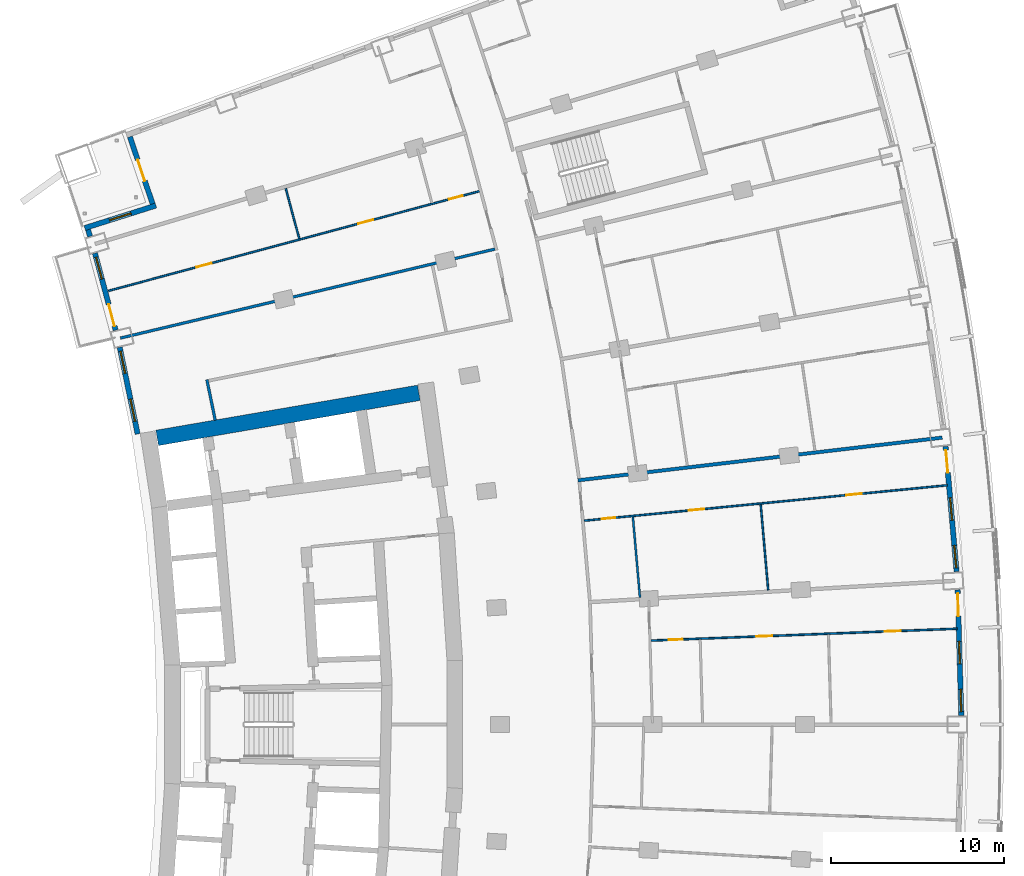
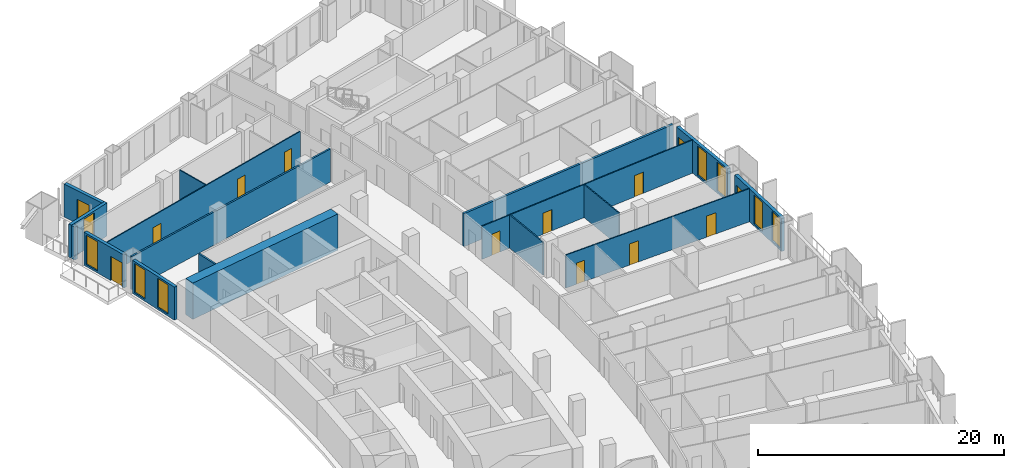
# One storey, part 18 of 25: 17 walls, 13 doors, 8 windows, 21 openings.
"""IFC4 building model written with IfcOpenShell, lengths in metres."""

from ifc_helpers import new_model, si_unit, direction, frame, frame_2d, origin, place, context, subcontext, project, spatial, rectangle, extrude, material, layer, layer_set, type_object, element, fill, save


model = new_model("IFC4")

# Units and contexts
model_context = context("Model", 3, precision=1e-05, world=origin(), true_north=direction((0.0, 1.0)))
body_context = subcontext(model_context, "Body", "Model", "MODEL_VIEW")
ifc_project = project(units=[si_unit("LENGTHUNIT", "METRE"), si_unit("AREAUNIT", "SQUARE_METRE"), si_unit("VOLUMEUNIT", "CUBIC_METRE"), si_unit("PLANEANGLEUNIT", "RADIAN"), si_unit("MASSUNIT", "GRAM", prefix="KILO")], contexts=[model_context])

# Site, building, storey
site_placement = place(None, origin())
site = spatial("IfcSite", under=ifc_project, at=site_placement, CompositionType="ELEMENT")
building_placement = place(site_placement, origin())
building = spatial("IfcBuilding", under=site, at=building_placement, Name="Alderwake Tower", CompositionType="ELEMENT")
storey_placement = place(building_placement, frame((0.0, 0.0, 68.0)))
storey = spatial("IfcBuildingStorey", under=building, at=storey_placement, Name="L16", CompositionType="ELEMENT", Elevation=68.0)

# Walls
ifc_material_1 = material(Name="Concrete C70/85", Category="concrete")
ifc_layer_1 = layer(ifc_material_1, 0.89990234375)
ifc_layer_set_1 = layer_set([ifc_layer_1], Name="Core wall outer 900 C70-85")
wall_type_1 = type_object("IfcWallType", Name="Core wall outer 900 C70-85", PredefinedType="SHEAR", material=ifc_layer_set_1)
wall_1_placement = place(storey_placement, frame((16.005615234375, 77.548828125, 0.0), z_axis=(0.0, 0.0, 1.0), x_axis=(0.985465815888, 0.169873852363, 0.0)))
element("IfcWall", 1, at=wall_1_placement, inside=storey, type_object=wall_type_1, Name="Core wall CW.053", PredefinedType="SHEAR", context=body_context, shape_type="SweptSolid", body=[
    extrude(rectangle(XDim=15.33056640625, YDim=0.89990234375, at=frame_2d((7.665283203125, 0.0))), origin(), (0.0, 0.0, 1.0), 3.60009765625),
])
ifc_material_2 = material(Name="Gypsum board on metal studs, rated")
ifc_layer_2 = layer(ifc_material_2, 0.159912109375)
ifc_layer_set_2 = layer_set([ifc_layer_2], Name="Corridor wall 160")
wall_type_2 = type_object("IfcWallType", Name="Corridor wall 160", PredefinedType="PARTITIONING", material=ifc_layer_set_2)
wall_2_placement = place(storey_placement, frame((18.874755859375, 80.910400390625, 0.0), z_axis=(0.0, 0.0, 1.0), x_axis=(0.202312089075, -0.979321100873, 0.0)))
element("IfcWall", 2, at=wall_2_placement, inside=storey, type_object=wall_type_2, Name="WL/L16/W19", PredefinedType="PARTITIONING", context=body_context, shape_type="SweptSolid", body=[
    extrude(rectangle(XDim=2.39306640625, YDim=0.159912109375, at=frame_2d((1.196533203125, 0.0))), origin(), (0.0, 0.0, 1.0), 3.280029296875),
])
wall_3_placement = place(storey_placement, frame((35.502197265625, 88.451416015625, 0.0), z_axis=(0.0, 0.0, 1.0), x_axis=(-0.972894913244, -0.231247676278, 0.0)))
element("IfcWall", 3, at=wall_3_placement, inside=storey, type_object=wall_type_2, Name="WL/L16/W26", PredefinedType="PARTITIONING", context=body_context, shape_type="SweptSolid", body=[
    extrude(rectangle(XDim=22.220458984375, YDim=0.159912109375, at=frame_2d((11.1103515625, 0.0))), origin(), (0.0, 0.0, 1.0), 3.280029296875),
])

# Wall, openings, door, windows
ifc_material_3 = material(Name="Precast concrete C50/60 spandrel panel", Category="concrete")
ifc_layer_3 = layer(ifc_material_3, 0.300048828125)
ifc_layer_set_3 = layer_set([ifc_layer_3], Name="External wall EW1 Precast concrete C50/60 spandrel")
wall_type_3 = type_object("IfcWallType", Name="External wall EW1 Precast concrete C50/60 spandrel", PredefinedType="SOLIDWALL", material=ifc_layer_set_3)
wall_4_placement = place(storey_placement, frame((62.434814453125, 61.5244140625, 0.0), z_axis=(0.0, 0.0, 1.0), x_axis=(-0.029192492368, 0.999573808375, 0.0)))
wall_4 = element("IfcWall", 4, at=wall_4_placement, inside=storey, type_object=wall_type_3, Name="External wall 17", PredefinedType="SOLIDWALL", context=body_context, shape_type="SweptSolid", body=[
    extrude(rectangle(XDim=7.25927734375, YDim=0.300048828125, at=frame_2d((3.629638671875, 0.0))), origin(), (0.0, 0.0, 1.0), 3.280029296875),
])
opening_1_placement = place(wall_4_placement, frame((0.215087890625, 0.0, 0.199951171875)))
opening_1 = element("IfcOpeningElement", 5, at=opening_1_placement, cuts=wall_4, Name="Opening W1", PredefinedType="OPENING", context=body_context, shape_type="SweptSolid", body=[
    extrude(rectangle(XDim=1.300048828125, YDim=2.89990234375, at=frame_2d((0.64990234375, 1.449951171875))), frame((0.0, 0.159912109375, 0.0), z_axis=(0.0, -1.0, 0.0), x_axis=(1.0, 0.0, 0.0)), (0.0, 0.0, 1.0), 0.320068359375),
])
opening_2_placement = place(wall_4_placement, frame((2.9794921875, 0.0, 0.199951171875)))
opening_2 = element("IfcOpeningElement", 6, at=opening_2_placement, cuts=wall_4, Name="Opening W1", PredefinedType="OPENING", context=body_context, shape_type="SweptSolid", body=[
    extrude(rectangle(XDim=1.300048828125, YDim=2.89990234375, at=frame_2d((0.64990234375, 1.449951171875))), frame((0.0, 0.159912109375, 0.0), z_axis=(0.0, -1.0, 0.0), x_axis=(1.0, 0.0, 0.0)), (0.0, 0.0, 1.0), 0.320068359375),
])
opening_3_placement = place(wall_4_placement, frame((5.744140625, 0.0, 0.0)))
opening_3 = element("IfcOpeningElement", 7, at=opening_3_placement, cuts=wall_4, Name="Opening D08", PredefinedType="OPENING", context=body_context, shape_type="SweptSolid", body=[
    extrude(rectangle(XDim=1.300048828125, YDim=2.39990234375, at=frame_2d((0.64990234375, 1.199951171875))), frame((0.0, 0.159912109375, 0.0), z_axis=(0.0, -1.0, 0.0), x_axis=(1.0, 0.0, 0.0)), (0.0, 0.0, 1.0), 0.320068359375),
])
ifc_material_4 = material(Name="Bronze tinted glass in aluminium frame", Category="aluminium")
door_type_1 = type_object("IfcDoorType", Name="Balcony door BD sliding", OperationType="SLIDING_TO_LEFT", PredefinedType="DOOR", material=ifc_material_4)
door_1_placement = place(opening_3_placement, origin())
door_1 = element("IfcDoor", 8, at=door_1_placement, inside=storey, type_object=door_type_1, Name="Door D08", OperationType="SLIDING_TO_LEFT", OverallHeight=2.39990234375, OverallWidth=1.300048828125, PredefinedType="DOOR", context=body_context, shape_type="SweptSolid", body=[
    extrude(rectangle(XDim=1.300048828125, YDim=2.39990234375, at=frame_2d((0.64990234375, 1.199951171875))), frame((0.0, 0.02490234375, 0.0), z_axis=(0.0, -1.0, 0.0), x_axis=(1.0, 0.0, 0.0)), (0.0, 0.0, 1.0), 0.050048828125),
])
fill(opening_3, door_1)
ifc_material_5 = material(Name="Bronze tinted glass in aluminium frame", Category="aluminium")
window_type = type_object("IfcWindowType", Name="Window W1 tall fixed and vent", PartitioningType="DOUBLE_PANEL_VERTICAL", PredefinedType="WINDOW", material=ifc_material_5)
window_1_placement = place(opening_1_placement, origin())
window_1 = element("IfcWindow", 9, at=window_1_placement, inside=storey, type_object=window_type, Name="Window W1 tall fixed and vent", OverallHeight=2.89990234375, OverallWidth=1.300048828125, PartitioningType="DOUBLE_PANEL_VERTICAL", PredefinedType="WINDOW", context=body_context, shape_type="SweptSolid", body=[
    extrude(rectangle(XDim=1.300048828125, YDim=2.89990234375, at=frame_2d((0.64990234375, 1.449951171875))), frame((0.0, 0.030029296875, 0.0), z_axis=(0.0, -1.0, 0.0), x_axis=(1.0, 0.0, 0.0)), (0.0, 0.0, 1.0), 0.06005859375),
])
fill(opening_1, window_1)
window_2_placement = place(opening_2_placement, origin())
window_2 = element("IfcWindow", 10, at=window_2_placement, inside=storey, type_object=window_type, Name="Window W1 tall fixed and vent", OverallHeight=2.89990234375, OverallWidth=1.300048828125, PartitioningType="DOUBLE_PANEL_VERTICAL", PredefinedType="WINDOW", context=body_context, shape_type="SweptSolid", body=[
    extrude(rectangle(XDim=1.300048828125, YDim=2.89990234375, at=frame_2d((0.64990234375, 1.449951171875))), frame((0.0, 0.030029296875, 0.0), z_axis=(0.0, -1.0, 0.0), x_axis=(1.0, 0.0, 0.0)), (0.0, 0.0, 1.0), 0.06005859375),
])
fill(opening_2, window_2)

wall_5_placement = place(storey_placement, frame((62.161865234375, 69.827392578125, 0.0), z_axis=(0.0, 0.0, 1.0), x_axis=(-0.087375550333, 0.996175442984, 0.0)))
wall_5 = element("IfcWall", 11, at=wall_5_placement, inside=storey, type_object=wall_type_3, Name="External wall 18", PredefinedType="SOLIDWALL", context=body_context, shape_type="SweptSolid", body=[
    extrude(rectangle(XDim=7.25927734375, YDim=0.300048828125, at=frame_2d((3.629638671875, 0.0))), origin(), (0.0, 0.0, 1.0), 3.280029296875),
])
opening_4_placement = place(wall_5_placement, frame((0.215087890625, 0.0, 0.199951171875)))
opening_4 = element("IfcOpeningElement", 12, at=opening_4_placement, cuts=wall_5, Name="Opening W1", PredefinedType="OPENING", context=body_context, shape_type="SweptSolid", body=[
    extrude(rectangle(XDim=1.300048828125, YDim=2.89990234375, at=frame_2d((0.64990234375, 1.449951171875))), frame((0.0, 0.159912109375, 0.0), z_axis=(0.0, -1.0, 0.0), x_axis=(1.0, 0.0, 0.0)), (0.0, 0.0, 1.0), 0.320068359375),
])
opening_5_placement = place(wall_5_placement, frame((2.9794921875, 0.0, 0.199951171875)))
opening_5 = element("IfcOpeningElement", 13, at=opening_5_placement, cuts=wall_5, Name="Opening W1", PredefinedType="OPENING", context=body_context, shape_type="SweptSolid", body=[
    extrude(rectangle(XDim=1.300048828125, YDim=2.89990234375, at=frame_2d((0.64990234375, 1.449951171875))), frame((0.0, 0.159912109375, 0.0), z_axis=(0.0, -1.0, 0.0), x_axis=(1.0, 0.0, 0.0)), (0.0, 0.0, 1.0), 0.320068359375),
])
opening_6_placement = place(wall_5_placement, frame((5.744140625, 0.0, 0.0)))
opening_6 = element("IfcOpeningElement", 14, at=opening_6_placement, cuts=wall_5, Name="Opening D09", PredefinedType="OPENING", context=body_context, shape_type="SweptSolid", body=[
    extrude(rectangle(XDim=1.300048828125, YDim=2.39990234375, at=frame_2d((0.64990234375, 1.199951171875))), frame((0.0, 0.159912109375, 0.0), z_axis=(0.0, -1.0, 0.0), x_axis=(1.0, 0.0, 0.0)), (0.0, 0.0, 1.0), 0.320068359375),
])
door_2_placement = place(opening_6_placement, origin())
door_2 = element("IfcDoor", 15, at=door_2_placement, inside=storey, type_object=door_type_1, Name="Door D09", OperationType="SLIDING_TO_LEFT", OverallHeight=2.39990234375, OverallWidth=1.300048828125, PredefinedType="DOOR", context=body_context, shape_type="SweptSolid", body=[
    extrude(rectangle(XDim=1.300048828125, YDim=2.39990234375, at=frame_2d((0.64990234375, 1.199951171875))), frame((0.0, 0.02490234375, 0.0), z_axis=(0.0, -1.0, 0.0), x_axis=(1.0, 0.0, 0.0)), (0.0, 0.0, 1.0), 0.050048828125),
])
fill(opening_6, door_2)
window_3_placement = place(opening_4_placement, origin())
window_3 = element("IfcWindow", 16, at=window_3_placement, inside=storey, type_object=window_type, Name="Window W1 tall fixed and vent", OverallHeight=2.89990234375, OverallWidth=1.300048828125, PartitioningType="DOUBLE_PANEL_VERTICAL", PredefinedType="WINDOW", context=body_context, shape_type="SweptSolid", body=[
    extrude(rectangle(XDim=1.300048828125, YDim=2.89990234375, at=frame_2d((0.64990234375, 1.449951171875))), frame((0.0, 0.030029296875, 0.0), z_axis=(0.0, -1.0, 0.0), x_axis=(1.0, 0.0, 0.0)), (0.0, 0.0, 1.0), 0.06005859375),
])
fill(opening_4, window_3)
window_4_placement = place(opening_5_placement, origin())
window_4 = element("IfcWindow", 17, at=window_4_placement, inside=storey, type_object=window_type, Name="Window W1 tall fixed and vent", OverallHeight=2.89990234375, OverallWidth=1.300048828125, PartitioningType="DOUBLE_PANEL_VERTICAL", PredefinedType="WINDOW", context=body_context, shape_type="SweptSolid", body=[
    extrude(rectangle(XDim=1.300048828125, YDim=2.89990234375, at=frame_2d((0.64990234375, 1.449951171875))), frame((0.0, 0.030029296875, 0.0), z_axis=(0.0, -1.0, 0.0), x_axis=(1.0, 0.0, 0.0)), (0.0, 0.0, 1.0), 0.06005859375),
])
fill(opening_5, window_4)

# Wall
wall_6_placement = place(storey_placement, frame((12.01416015625, 89.5703125, 0.0), z_axis=(0.0, 0.0, 1.0), x_axis=(0.29468230117, -0.955595281161, 0.0)))
element("IfcWall", 18, at=wall_6_placement, inside=storey, type_object=wall_type_3, Name="External wall 32", PredefinedType="SOLIDWALL", context=body_context, shape_type="SweptSolid", body=[
    extrude(rectangle(XDim=0.402587890625, YDim=0.300048828125, at=frame_2d((0.201171875, 0.0))), origin(), (0.0, 0.0, 1.0), 3.280029296875),
])

# Wall, openings, door, window
wall_7_placement = place(storey_placement, frame((12.4130859375, 88.212890625, 0.0), z_axis=(0.0, 0.0, 1.0), x_axis=(0.259495671332, -0.965744270788, 0.0)))
wall_7 = element("IfcWall", 19, at=wall_7_placement, inside=storey, type_object=wall_type_3, Name="External wall 33", PredefinedType="SOLIDWALL", context=body_context, shape_type="SweptSolid", body=[
    extrude(rectangle(XDim=4.599609375, YDim=0.300048828125, at=frame_2d((2.2998046875, 0.0))), origin(), (0.0, 0.0, 1.0), 3.280029296875),
])
opening_7_placement = place(wall_7_placement, frame((0.2412109375, 0.0, 0.199951171875)))
opening_7 = element("IfcOpeningElement", 20, at=opening_7_placement, cuts=wall_7, Name="Opening W1", PredefinedType="OPENING", context=body_context, shape_type="SweptSolid", body=[
    extrude(rectangle(XDim=1.300048828125, YDim=2.89990234375, at=frame_2d((0.64990234375, 1.449951171875))), frame((0.0, 0.159912109375, 0.0), z_axis=(0.0, -1.0, 0.0), x_axis=(1.0, 0.0, 0.0)), (0.0, 0.0, 1.0), 0.320068359375),
])
opening_8_placement = place(wall_7_placement, frame((3.058349609375, 0.0, 0.0)))
opening_8 = element("IfcOpeningElement", 21, at=opening_8_placement, cuts=wall_7, Name="Opening D15", PredefinedType="OPENING", context=body_context, shape_type="SweptSolid", body=[
    extrude(rectangle(XDim=1.300048828125, YDim=2.39990234375, at=frame_2d((0.64990234375, 1.199951171875))), frame((0.0, 0.159912109375, 0.0), z_axis=(0.0, -1.0, 0.0), x_axis=(1.0, 0.0, 0.0)), (0.0, 0.0, 1.0), 0.320068359375),
])
door_3_placement = place(opening_8_placement, origin())
door_3 = element("IfcDoor", 22, at=door_3_placement, inside=storey, type_object=door_type_1, Name="Door D15", OperationType="SLIDING_TO_LEFT", OverallHeight=2.39990234375, OverallWidth=1.300048828125, PredefinedType="DOOR", context=body_context, shape_type="SweptSolid", body=[
    extrude(rectangle(XDim=1.300048828125, YDim=2.39990234375, at=frame_2d((0.64990234375, 1.199951171875))), frame((0.0, 0.02490234375, 0.0), z_axis=(0.0, -1.0, 0.0), x_axis=(1.0, 0.0, 0.0)), (0.0, 0.0, 1.0), 0.050048828125),
])
fill(opening_8, door_3)
window_5_placement = place(opening_7_placement, origin())
window_5 = element("IfcWindow", 23, at=window_5_placement, inside=storey, type_object=window_type, Name="Window W1 tall fixed and vent", OverallHeight=2.89990234375, OverallWidth=1.300048828125, PartitioningType="DOUBLE_PANEL_VERTICAL", PredefinedType="WINDOW", context=body_context, shape_type="SweptSolid", body=[
    extrude(rectangle(XDim=1.300048828125, YDim=2.89990234375, at=frame_2d((0.64990234375, 1.449951171875))), frame((0.0, 0.030029296875, 0.0), z_axis=(0.0, -1.0, 0.0), x_axis=(1.0, 0.0, 0.0)), (0.0, 0.0, 1.0), 0.06005859375),
])
fill(opening_7, window_5)

# Wall, openings, windows
wall_8_placement = place(storey_placement, frame((13.842529296875, 82.77880859375, 0.0), z_axis=(0.0, 0.0, 1.0), x_axis=(0.202738354746, -0.979232944459, 0.0)))
wall_8 = element("IfcWall", 24, at=wall_8_placement, inside=storey, type_object=wall_type_3, Name="External wall 34", PredefinedType="SOLIDWALL", context=body_context, shape_type="SweptSolid", body=[
    extrude(rectangle(XDim=5.1083984375, YDim=0.300048828125, at=frame_2d((2.55419921875, 0.0))), origin(), (0.0, 0.0, 1.0), 3.280029296875),
])
opening_9_placement = place(wall_8_placement, frame((0.239013671875, 0.0, 0.199951171875)))
opening_9 = element("IfcOpeningElement", 25, at=opening_9_placement, cuts=wall_8, Name="Opening W1", PredefinedType="OPENING", context=body_context, shape_type="SweptSolid", body=[
    extrude(rectangle(XDim=1.300048828125, YDim=2.89990234375, at=frame_2d((0.64990234375, 1.449951171875))), frame((0.0, 0.159912109375, 0.0), z_axis=(0.0, -1.0, 0.0), x_axis=(1.0, 0.0, 0.0)), (0.0, 0.0, 1.0), 0.320068359375),
])
opening_10_placement = place(wall_8_placement, frame((3.0517578125, 0.0, 0.199951171875)))
opening_10 = element("IfcOpeningElement", 26, at=opening_10_placement, cuts=wall_8, Name="Opening W1", PredefinedType="OPENING", context=body_context, shape_type="SweptSolid", body=[
    extrude(rectangle(XDim=1.300048828125, YDim=2.89990234375, at=frame_2d((0.64990234375, 1.449951171875))), frame((0.0, 0.159912109375, 0.0), z_axis=(0.0, -1.0, 0.0), x_axis=(1.0, 0.0, 0.0)), (0.0, 0.0, 1.0), 0.320068359375),
])
window_6_placement = place(opening_9_placement, origin())
window_6 = element("IfcWindow", 27, at=window_6_placement, inside=storey, type_object=window_type, Name="Window W1 tall fixed and vent", OverallHeight=2.89990234375, OverallWidth=1.300048828125, PartitioningType="DOUBLE_PANEL_VERTICAL", PredefinedType="WINDOW", context=body_context, shape_type="SweptSolid", body=[
    extrude(rectangle(XDim=1.300048828125, YDim=2.89990234375, at=frame_2d((0.64990234375, 1.449951171875))), frame((0.0, 0.030029296875, 0.0), z_axis=(0.0, -1.0, 0.0), x_axis=(1.0, 0.0, 0.0)), (0.0, 0.0, 1.0), 0.06005859375),
])
fill(opening_9, window_6)
window_7_placement = place(opening_10_placement, origin())
window_7 = element("IfcWindow", 28, at=window_7_placement, inside=storey, type_object=window_type, Name="Window W1 tall fixed and vent", OverallHeight=2.89990234375, OverallWidth=1.300048828125, PartitioningType="DOUBLE_PANEL_VERTICAL", PredefinedType="WINDOW", context=body_context, shape_type="SweptSolid", body=[
    extrude(rectangle(XDim=1.300048828125, YDim=2.89990234375, at=frame_2d((0.64990234375, 1.449951171875))), frame((0.0, 0.030029296875, 0.0), z_axis=(0.0, -1.0, 0.0), x_axis=(1.0, 0.0, 0.0)), (0.0, 0.0, 1.0), 0.06005859375),
])
fill(opening_10, window_7)

# Wall, opening, door
ifc_material_6 = material(Name="Bronze metal cladding on lightweight framing")
ifc_layer_4 = layer(ifc_material_6, 0.300048828125)
ifc_layer_set_4 = layer_set([ifc_layer_4], Name="External wall EW2 bronze metal cladding")
wall_type_4 = type_object("IfcWallType", Name="External wall EW2 bronze metal cladding", PredefinedType="SOLIDWALL", material=ifc_layer_set_4)
wall_9_placement = place(storey_placement, frame((14.430908203125, 94.937744140625, 0.0), z_axis=(0.0, 0.0, 1.0), x_axis=(0.320379458656, -0.947289291859, 0.0)))
wall_9 = element("IfcWall", 29, at=wall_9_placement, inside=storey, type_object=wall_type_4, Name="External wall 30", PredefinedType="SOLIDWALL", context=body_context, shape_type="SweptSolid", body=[
    extrude(rectangle(XDim=4.08984375, YDim=0.300048828125, at=frame_2d((2.044921875, 0.0))), origin(), (0.0, 0.0, 1.0), 3.280029296875),
])
opening_11_placement = place(wall_9_placement, frame((1.39501953125, 0.0, 0.0)))
opening_11 = element("IfcOpeningElement", 30, at=opening_11_placement, cuts=wall_9, Name="Opening D14", PredefinedType="OPENING", context=body_context, shape_type="SweptSolid", body=[
    extrude(rectangle(XDim=1.300048828125, YDim=2.39990234375, at=frame_2d((0.64990234375, 1.199951171875))), frame((0.0, 0.159912109375, 0.0), z_axis=(0.0, -1.0, 0.0), x_axis=(1.0, 0.0, 0.0)), (0.0, 0.0, 1.0), 0.320068359375),
])
door_4_placement = place(opening_11_placement, origin())
door_4 = element("IfcDoor", 31, at=door_4_placement, inside=storey, type_object=door_type_1, Name="Door D14", OperationType="SLIDING_TO_LEFT", OverallHeight=2.39990234375, OverallWidth=1.300048828125, PredefinedType="DOOR", context=body_context, shape_type="SweptSolid", body=[
    extrude(rectangle(XDim=1.300048828125, YDim=2.39990234375, at=frame_2d((0.64990234375, 1.199951171875))), frame((0.0, 0.02490234375, 0.0), z_axis=(0.0, -1.0, 0.0), x_axis=(1.0, 0.0, 0.0)), (0.0, 0.0, 1.0), 0.050048828125),
])
fill(opening_11, door_4)

# Wall, opening, window
wall_10_placement = place(storey_placement, frame((15.932373046875, 90.966552734375, 0.0), z_axis=(0.0, 0.0, 1.0), x_axis=(-0.953473772386, -0.301475978103, 0.0)))
wall_10 = element("IfcWall", 32, at=wall_10_placement, inside=storey, type_object=wall_type_4, Name="External wall 31", PredefinedType="SOLIDWALL", context=body_context, shape_type="SweptSolid", body=[
    extrude(rectangle(XDim=4.305908203125, YDim=0.300048828125, at=frame_2d((2.15283203125, 0.0))), origin(), (0.0, 0.0, 1.0), 3.280029296875),
])
opening_12_placement = place(wall_10_placement, frame((1.5029296875, 0.0, 0.199951171875)))
opening_12 = element("IfcOpeningElement", 33, at=opening_12_placement, cuts=wall_10, Name="Opening W1", PredefinedType="OPENING", context=body_context, shape_type="SweptSolid", body=[
    extrude(rectangle(XDim=1.300048828125, YDim=2.89990234375, at=frame_2d((0.64990234375, 1.449951171875))), frame((0.0, 0.159912109375, 0.0), z_axis=(0.0, -1.0, 0.0), x_axis=(1.0, 0.0, 0.0)), (0.0, 0.0, 1.0), 0.320068359375),
])
window_8_placement = place(opening_12_placement, origin())
window_8 = element("IfcWindow", 34, at=window_8_placement, inside=storey, type_object=window_type, Name="Window W1 tall fixed and vent", OverallHeight=2.89990234375, OverallWidth=1.300048828125, PartitioningType="DOUBLE_PANEL_VERTICAL", PredefinedType="WINDOW", context=body_context, shape_type="SweptSolid", body=[
    extrude(rectangle(XDim=1.300048828125, YDim=2.89990234375, at=frame_2d((0.64990234375, 1.449951171875))), frame((0.0, 0.030029296875, 0.0), z_axis=(0.0, -1.0, 0.0), x_axis=(1.0, 0.0, 0.0)), (0.0, 0.0, 1.0), 0.06005859375),
])
fill(opening_12, window_8)

# Wall
ifc_material_7 = material(Name="Dense block masonry wall", Category="masonry")
ifc_layer_5 = layer(ifc_material_7, 0.199951171875)
ifc_layer_set_5 = layer_set([ifc_layer_5], Name="Party wall 200")
wall_type_5 = type_object("IfcWallType", Name="Party wall 200", PredefinedType="SOLIDWALL", material=ifc_layer_set_5)
wall_11_placement = place(storey_placement, frame((40.297607421875, 75.0986328125, 0.0), z_axis=(0.0, 0.0, 1.0), x_axis=(0.993196167424, 0.116453308301, 0.0)))
element("IfcWall", 35, at=wall_11_placement, inside=storey, type_object=wall_type_5, Name="WL/L16/W08", PredefinedType="SOLIDWALL", context=body_context, shape_type="SweptSolid", body=[
    extrude(rectangle(XDim=21.178466796875, YDim=0.199951171875, at=frame_2d((10.58935546875, 0.0))), origin(), (0.0, 0.0, 1.0), 3.280029296875),
])

# Wall, openings, doors
ifc_material_8 = material(Name="Gypsum board on metal studs")
ifc_layer_6 = layer(ifc_material_8, 0.10009765625)
ifc_layer_set_6 = layer_set([ifc_layer_6], Name="Unit partition 100")
wall_type_6 = type_object("IfcWallType", Name="Unit partition 100", PredefinedType="PARTITIONING", material=ifc_layer_set_6)
wall_12_placement = place(storey_placement, frame((13.194091796875, 86.0400390625, 0.0), z_axis=(0.0, 0.0, 1.0), x_axis=(0.965734733826, 0.259531161679, 0.0)))
wall_12 = element("IfcWall", 36, at=wall_12_placement, inside=storey, type_object=wall_type_6, Name="WL/L16/W68", PredefinedType="PARTITIONING", context=body_context, shape_type="SweptSolid", body=[
    extrude(rectangle(XDim=22.17138671875, YDim=0.10009765625, at=frame_2d((11.085693359375, 0.0))), origin(), (0.0, 0.0, 1.0), 3.280029296875),
])
opening_13_placement = place(wall_12_placement, frame((14.935791015625, 0.0, 0.0)))
opening_13 = element("IfcOpeningElement", 37, at=opening_13_placement, cuts=wall_12, Name="Opening R04-U14.1", PredefinedType="OPENING", context=body_context, shape_type="SweptSolid", body=[
    extrude(rectangle(XDim=0.89990234375, YDim=2.10009765625, at=frame_2d((0.449951171875, 1.050048828125))), frame((0.0, 0.06005859375, 0.0), z_axis=(0.0, -1.0, 0.0), x_axis=(1.0, 0.0, 0.0)), (0.0, 0.0, 1.0), 0.1201171875),
])
opening_14_placement = place(wall_12_placement, frame((20.361328125, 0.0, 0.0)))
opening_14 = element("IfcOpeningElement", 38, at=opening_14_placement, cuts=wall_12, Name="Opening R04-U14.3", PredefinedType="OPENING", context=body_context, shape_type="SweptSolid", body=[
    extrude(rectangle(XDim=0.800048828125, YDim=2.10009765625, at=frame_2d((0.39990234375, 1.050048828125))), frame((0.0, 0.06005859375, 0.0), z_axis=(0.0, -1.0, 0.0), x_axis=(1.0, 0.0, 0.0)), (0.0, 0.0, 1.0), 0.1201171875),
])
opening_15_placement = place(wall_12_placement, frame((5.260498046875, 0.0, 0.0)))
opening_15 = element("IfcOpeningElement", 39, at=opening_15_placement, cuts=wall_12, Name="Opening R04-U14.4", PredefinedType="OPENING", context=body_context, shape_type="SweptSolid", body=[
    extrude(rectangle(XDim=0.89990234375, YDim=2.10009765625, at=frame_2d((0.449951171875, 1.050048828125))), frame((0.0, 0.06005859375, 0.0), z_axis=(0.0, -1.0, 0.0), x_axis=(1.0, 0.0, 0.0)), (0.0, 0.0, 1.0), 0.1201171875),
])
ifc_material_9 = material(Name="Painted timber leaf", Category="wood")
door_type_2 = type_object("IfcDoorType", Name="Bathroom door 800", OperationType="SINGLE_SWING_LEFT", PredefinedType="DOOR", material=ifc_material_9)
door_5_placement = place(opening_14_placement, origin())
door_5 = element("IfcDoor", 40, at=door_5_placement, inside=storey, type_object=door_type_2, Name="DR/L16/U14.3", OperationType="SINGLE_SWING_LEFT", OverallHeight=2.10009765625, OverallWidth=0.800048828125, PredefinedType="DOOR", context=body_context, shape_type="SweptSolid", body=[
    extrude(rectangle(XDim=0.800048828125, YDim=2.10009765625, at=frame_2d((0.39990234375, 1.050048828125))), frame((0.0, 0.02490234375, 0.0), z_axis=(0.0, -1.0, 0.0), x_axis=(1.0, 0.0, 0.0)), (0.0, 0.0, 1.0), 0.050048828125),
])
fill(opening_14, door_5)
ifc_material_10 = material(Name="Painted timber leaf", Category="wood")
door_type_3 = type_object("IfcDoorType", Name="Room door 900", OperationType="SINGLE_SWING_LEFT", PredefinedType="DOOR", material=ifc_material_10)
door_6_placement = place(opening_13_placement, origin())
door_6 = element("IfcDoor", 41, at=door_6_placement, inside=storey, type_object=door_type_3, Name="DR/L16/U14.1", OperationType="SINGLE_SWING_LEFT", OverallHeight=2.10009765625, OverallWidth=0.89990234375, PredefinedType="DOOR", context=body_context, shape_type="SweptSolid", body=[
    extrude(rectangle(XDim=0.89990234375, YDim=2.10009765625, at=frame_2d((0.449951171875, 1.050048828125))), frame((0.0, 0.02490234375, 0.0), z_axis=(0.0, -1.0, 0.0), x_axis=(1.0, 0.0, 0.0)), (0.0, 0.0, 1.0), 0.050048828125),
])
fill(opening_13, door_6)
door_7_placement = place(opening_15_placement, origin())
door_7 = element("IfcDoor", 42, at=door_7_placement, inside=storey, type_object=door_type_3, Name="DR/L16/U14.4", OperationType="SINGLE_SWING_LEFT", OverallHeight=2.10009765625, OverallWidth=0.89990234375, PredefinedType="DOOR", context=body_context, shape_type="SweptSolid", body=[
    extrude(rectangle(XDim=0.89990234375, YDim=2.10009765625, at=frame_2d((0.449951171875, 1.050048828125))), frame((0.0, 0.02490234375, 0.0), z_axis=(0.0, -1.0, 0.0), x_axis=(1.0, 0.0, 0.0)), (0.0, 0.0, 1.0), 0.050048828125),
])
fill(opening_15, door_7)

# Wall
wall_13_placement = place(storey_placement, frame((23.431884765625, 91.949462890625, 0.0), z_axis=(0.0, 0.0, 1.0), x_axis=(0.259065603162, -0.965859727527, 0.0)))
element("IfcWall", 43, at=wall_13_placement, inside=storey, type_object=wall_type_6, Name="WL/L16/W69", PredefinedType="PARTITIONING", context=body_context, shape_type="SweptSolid", body=[
    extrude(rectangle(XDim=2.99951171875, YDim=0.10009765625, at=frame_2d((1.499755859375, 0.0))), origin(), (0.0, 0.0, 1.0), 3.280029296875),
])

# Wall, openings, doors
wall_14_placement = place(storey_placement, frame((61.6259765625, 74.81396484375, 0.0), z_axis=(0.0, 0.0, 1.0), x_axis=(-0.995280178021, -0.097043120509, 0.0)))
wall_14 = element("IfcWall", 44, at=wall_14_placement, inside=storey, type_object=wall_type_6, Name="WL/L16/W72", PredefinedType="PARTITIONING", context=body_context, shape_type="SweptSolid", body=[
    extrude(rectangle(XDim=21.064697265625, YDim=0.10009765625, at=frame_2d((10.5322265625, 0.0))), origin(), (0.0, 0.0, 1.0), 3.280029296875),
])
opening_16_placement = place(wall_14_placement, frame((14.088134765625, 0.0, 0.0)))
opening_16 = element("IfcOpeningElement", 45, at=opening_16_placement, cuts=wall_14, Name="Opening R04-U09.1", PredefinedType="OPENING", context=body_context, shape_type="SweptSolid", body=[
    extrude(rectangle(XDim=0.89990234375, YDim=2.10009765625, at=frame_2d((0.449951171875, 1.050048828125))), frame((0.0, 0.06005859375, 0.0), z_axis=(0.0, -1.0, 0.0), x_axis=(1.0, 0.0, 0.0)), (0.0, 0.0, 1.0), 0.1201171875),
])
opening_17_placement = place(wall_14_placement, frame((19.2548828125, 0.0, 0.0)))
opening_17 = element("IfcOpeningElement", 46, at=opening_17_placement, cuts=wall_14, Name="Opening R04-U09.3", PredefinedType="OPENING", context=body_context, shape_type="SweptSolid", body=[
    extrude(rectangle(XDim=0.800048828125, YDim=2.10009765625, at=frame_2d((0.39990234375, 1.050048828125))), frame((0.0, 0.06005859375, 0.0), z_axis=(0.0, -1.0, 0.0), x_axis=(1.0, 0.0, 0.0)), (0.0, 0.0, 1.0), 0.1201171875),
])
opening_18_placement = place(wall_14_placement, frame((4.96630859375, 0.0, 0.0)))
opening_18 = element("IfcOpeningElement", 47, at=opening_18_placement, cuts=wall_14, Name="Opening R04-U09.4", PredefinedType="OPENING", context=body_context, shape_type="SweptSolid", body=[
    extrude(rectangle(XDim=0.89990234375, YDim=2.10009765625, at=frame_2d((0.449951171875, 1.050048828125))), frame((0.0, 0.06005859375, 0.0), z_axis=(0.0, -1.0, 0.0), x_axis=(1.0, 0.0, 0.0)), (0.0, 0.0, 1.0), 0.1201171875),
])
door_8_placement = place(opening_17_placement, origin())
door_8 = element("IfcDoor", 48, at=door_8_placement, inside=storey, type_object=door_type_2, Name="DR/L16/U09.3", OperationType="SINGLE_SWING_LEFT", OverallHeight=2.10009765625, OverallWidth=0.800048828125, PredefinedType="DOOR", context=body_context, shape_type="SweptSolid", body=[
    extrude(rectangle(XDim=0.800048828125, YDim=2.10009765625, at=frame_2d((0.39990234375, 1.050048828125))), frame((0.0, 0.02490234375, 0.0), z_axis=(0.0, -1.0, 0.0), x_axis=(1.0, 0.0, 0.0)), (0.0, 0.0, 1.0), 0.050048828125),
])
fill(opening_17, door_8)
door_9_placement = place(opening_16_placement, origin())
door_9 = element("IfcDoor", 49, at=door_9_placement, inside=storey, type_object=door_type_3, Name="DR/L16/U09.1", OperationType="SINGLE_SWING_LEFT", OverallHeight=2.10009765625, OverallWidth=0.89990234375, PredefinedType="DOOR", context=body_context, shape_type="SweptSolid", body=[
    extrude(rectangle(XDim=0.89990234375, YDim=2.10009765625, at=frame_2d((0.449951171875, 1.050048828125))), frame((0.0, 0.02490234375, 0.0), z_axis=(0.0, -1.0, 0.0), x_axis=(1.0, 0.0, 0.0)), (0.0, 0.0, 1.0), 0.050048828125),
])
fill(opening_16, door_9)
door_10_placement = place(opening_18_placement, origin())
door_10 = element("IfcDoor", 50, at=door_10_placement, inside=storey, type_object=door_type_3, Name="DR/L16/U09.4", OperationType="SINGLE_SWING_LEFT", OverallHeight=2.10009765625, OverallWidth=0.89990234375, PredefinedType="DOOR", context=body_context, shape_type="SweptSolid", body=[
    extrude(rectangle(XDim=0.89990234375, YDim=2.10009765625, at=frame_2d((0.449951171875, 1.050048828125))), frame((0.0, 0.02490234375, 0.0), z_axis=(0.0, -1.0, 0.0), x_axis=(1.0, 0.0, 0.0)), (0.0, 0.0, 1.0), 0.050048828125),
])
fill(opening_18, door_10)

wall_15_placement = place(storey_placement, frame((62.18994140625, 66.533935546875, 0.0), z_axis=(0.0, 0.0, 1.0), x_axis=(-0.999243408512, -0.038892294155, 0.0)))
wall_15 = element("IfcWall", 51, at=wall_15_placement, inside=storey, type_object=wall_type_6, Name="WL/L16/W77", PredefinedType="PARTITIONING", context=body_context, shape_type="SweptSolid", body=[
    extrude(rectangle(XDim=17.683349609375, YDim=0.10009765625, at=frame_2d((8.841796875, 0.0))), origin(), (0.0, 0.0, 1.0), 3.280029296875),
])
opening_19_placement = place(wall_15_placement, frame((10.68896484375, 0.0, 0.0)))
opening_19 = element("IfcOpeningElement", 52, at=opening_19_placement, cuts=wall_15, Name="Opening R04-U08.1", PredefinedType="OPENING", context=body_context, shape_type="SweptSolid", body=[
    extrude(rectangle(XDim=0.89990234375, YDim=2.10009765625, at=frame_2d((0.449951171875, 1.050048828125))), frame((0.0, 0.06005859375, 0.0), z_axis=(0.0, -1.0, 0.0), x_axis=(1.0, 0.0, 0.0)), (0.0, 0.0, 1.0), 0.1201171875),
])
opening_20_placement = place(wall_15_placement, frame((15.864501953125, 0.0, 0.0)))
opening_20 = element("IfcOpeningElement", 53, at=opening_20_placement, cuts=wall_15, Name="Opening R04-U08.4", PredefinedType="OPENING", context=body_context, shape_type="SweptSolid", body=[
    extrude(rectangle(XDim=0.800048828125, YDim=2.10009765625, at=frame_2d((0.39990234375, 1.050048828125))), frame((0.0, 0.06005859375, 0.0), z_axis=(0.0, -1.0, 0.0), x_axis=(1.0, 0.0, 0.0)), (0.0, 0.0, 1.0), 0.1201171875),
])
opening_21_placement = place(wall_15_placement, frame((3.2666015625, 0.0, 0.0)))
opening_21 = element("IfcOpeningElement", 54, at=opening_21_placement, cuts=wall_15, Name="Opening R04-U08.5", PredefinedType="OPENING", context=body_context, shape_type="SweptSolid", body=[
    extrude(rectangle(XDim=0.89990234375, YDim=2.10009765625, at=frame_2d((0.449951171875, 1.050048828125))), frame((0.0, 0.06005859375, 0.0), z_axis=(0.0, -1.0, 0.0), x_axis=(1.0, 0.0, 0.0)), (0.0, 0.0, 1.0), 0.1201171875),
])
door_11_placement = place(opening_20_placement, origin())
door_11 = element("IfcDoor", 55, at=door_11_placement, inside=storey, type_object=door_type_2, Name="DR/L16/U08.4", OperationType="SINGLE_SWING_LEFT", OverallHeight=2.10009765625, OverallWidth=0.800048828125, PredefinedType="DOOR", context=body_context, shape_type="SweptSolid", body=[
    extrude(rectangle(XDim=0.800048828125, YDim=2.10009765625, at=frame_2d((0.39990234375, 1.050048828125))), frame((0.0, 0.02490234375, 0.0), z_axis=(0.0, -1.0, 0.0), x_axis=(1.0, 0.0, 0.0)), (0.0, 0.0, 1.0), 0.050048828125),
])
fill(opening_20, door_11)
door_12_placement = place(opening_19_placement, origin())
door_12 = element("IfcDoor", 56, at=door_12_placement, inside=storey, type_object=door_type_3, Name="DR/L16/U08.1", OperationType="SINGLE_SWING_LEFT", OverallHeight=2.10009765625, OverallWidth=0.89990234375, PredefinedType="DOOR", context=body_context, shape_type="SweptSolid", body=[
    extrude(rectangle(XDim=0.89990234375, YDim=2.10009765625, at=frame_2d((0.449951171875, 1.050048828125))), frame((0.0, 0.02490234375, 0.0), z_axis=(0.0, -1.0, 0.0), x_axis=(1.0, 0.0, 0.0)), (0.0, 0.0, 1.0), 0.050048828125),
])
fill(opening_19, door_12)
door_13_placement = place(opening_21_placement, origin())
door_13 = element("IfcDoor", 57, at=door_13_placement, inside=storey, type_object=door_type_3, Name="DR/L16/U08.5", OperationType="SINGLE_SWING_LEFT", OverallHeight=2.10009765625, OverallWidth=0.89990234375, PredefinedType="DOOR", context=body_context, shape_type="SweptSolid", body=[
    extrude(rectangle(XDim=0.89990234375, YDim=2.10009765625, at=frame_2d((0.449951171875, 1.050048828125))), frame((0.0, 0.02490234375, 0.0), z_axis=(0.0, -1.0, 0.0), x_axis=(1.0, 0.0, 0.0)), (0.0, 0.0, 1.0), 0.050048828125),
])
fill(opening_21, door_13)

# Walls
wall_16_placement = place(storey_placement, frame((51.285400390625, 68.7666015625, 0.0), z_axis=(0.0, 0.0, 1.0), x_axis=(-0.087453109997, 0.996168637105, 0.0)))
element("IfcWall", 58, at=wall_16_placement, inside=storey, type_object=wall_type_6, Name="WL/L16/W84", PredefinedType="PARTITIONING", context=body_context, shape_type="SweptSolid", body=[
    extrude(rectangle(XDim=4.963623046875, YDim=0.10009765625, at=frame_2d((2.48193359375, 0.0))), origin(), (0.0, 0.0, 1.0), 3.280029296875),
])
ifc_material_11 = material(Name="Moisture resistant gypsum board on metal studs")
ifc_layer_7 = layer(ifc_material_11, 0.1201171875)
ifc_layer_set_7 = layer_set([ifc_layer_7], Name="Wet room partition 120")
wall_type_7 = type_object("IfcWallType", Name="Wet room partition 120", PredefinedType="PARTITIONING", material=ifc_layer_set_7)
wall_17_placement = place(storey_placement, frame((43.881103515625, 68.334716796875, 0.0), z_axis=(0.0, 0.0, 1.0), x_axis=(-0.087639255618, 0.996152277955, 0.0)))
element("IfcWall", 59, at=wall_17_placement, inside=storey, type_object=wall_type_7, Name="WL/L16/W59", PredefinedType="PARTITIONING", context=body_context, shape_type="SweptSolid", body=[
    extrude(rectangle(XDim=4.674560546875, YDim=0.1201171875, at=frame_2d((2.33740234375, 0.0))), origin(), (0.0, 0.0, 1.0), 3.280029296875),
])

save(model, "model.ifc")
